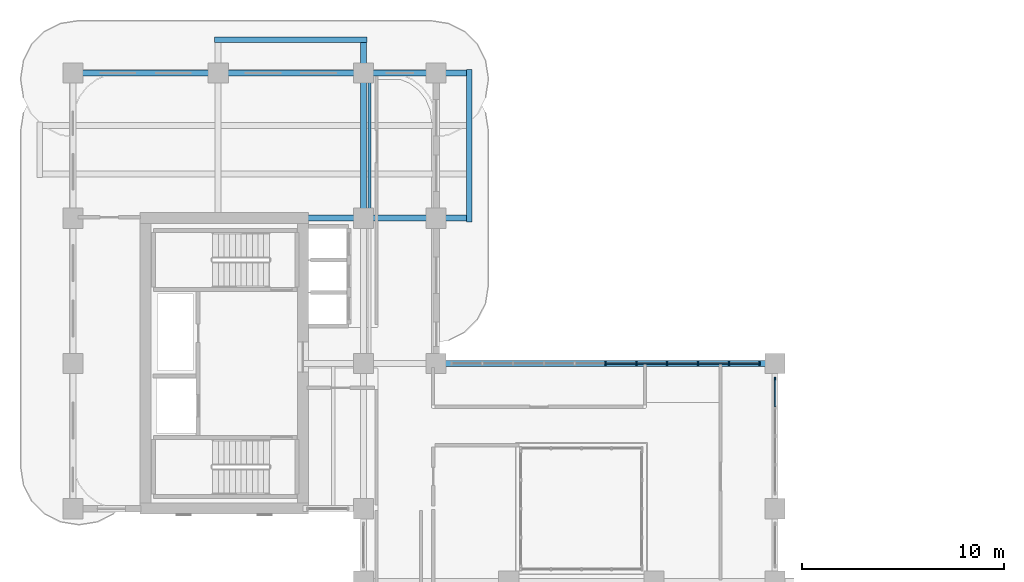
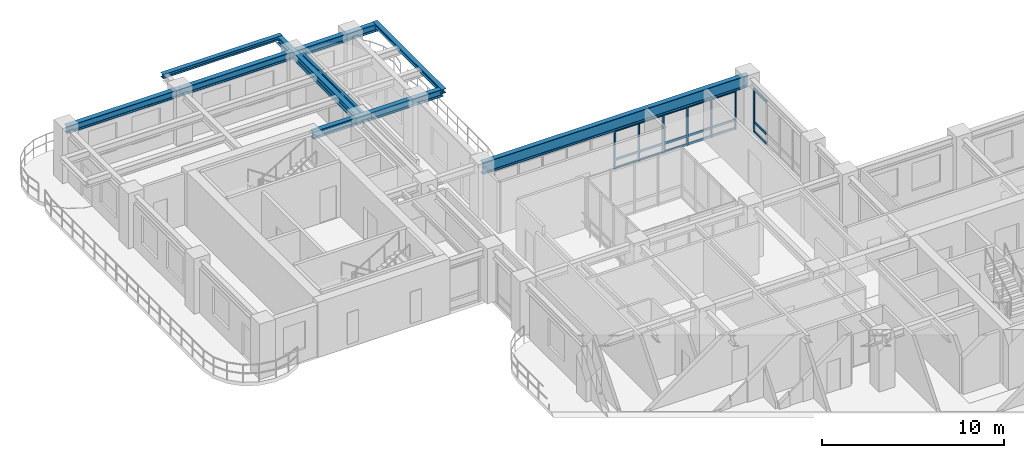
# One storey, part 6 of 20: 25 members, 8 beams, 2 elements without a shape of their own.
"""IFC4 building model written with IfcOpenShell, lengths in metres."""

from ifc_helpers import new_model, si_unit, derived_unit, direction, frame, origin, origin_2d, place, context, subcontext, project, spatial, rectangle, i_section, extrude, source, transform, mapped, material, layer, layer_set, material_profile, profile_set, type_object, type_shapes, element, aggregate, save


model = new_model("IFC4")

# Units and contexts
model_context = context("Model", 3, precision=1e-05, world=origin(), true_north=direction((0.0, 1.0)))
body_context = subcontext(model_context, "Body", "Model", "MODEL_VIEW")
ifc_project = project(units=[si_unit("LENGTHUNIT", "METRE"), si_unit("AREAUNIT", "SQUARE_METRE"), si_unit("VOLUMEUNIT", "CUBIC_METRE"), si_unit("PLANEANGLEUNIT", "RADIAN"), si_unit("MASSUNIT", "GRAM", prefix="KILO"), si_unit("THERMODYNAMICTEMPERATUREUNIT", "KELVIN"), si_unit("POWERUNIT", "WATT"), derived_unit("THERMALTRANSMITTANCEUNIT", [(si_unit("POWERUNIT", "WATT"), 1), (si_unit("AREAUNIT", "SQUARE_METRE"), -1), (si_unit("THERMODYNAMICTEMPERATUREUNIT", "KELVIN"), -1)])], contexts=[model_context])

# Site, building, storey
site_placement = place(None, origin())
site = spatial("IfcSite", under=ifc_project, at=site_placement, CompositionType="ELEMENT")
building_placement = place(site_placement, origin())
building = spatial("IfcBuilding", under=site, at=building_placement, Name="Zahravan Archway Hotel and Residences", CompositionType="ELEMENT")
storey_placement = place(building_placement, frame((0.0, 0.0, 130.300048828125)))
storey = spatial("IfcBuildingStorey", under=building, at=storey_placement, Name="L32", CompositionType="ELEMENT", Elevation=130.300048828125)

# Beams
ifc_material_1 = material(Name="Structural Steel S355JR", Category="steel")
ifc_material_profile_1 = material_profile(ifc_material_1, i_section(OverallWidth=0.280029296875, OverallDepth=0.280029296875, WebThickness=0.010498046875, FlangeThickness=0.01806640625, FilletRadius=0.02392578125, at=origin_2d()), Name="HEB 280", Category="steel")
ifc_profile_set_1 = profile_set([ifc_material_profile_1], Name="Structural Steel S355JR")
beam_type_1 = type_object("IfcBeamType", Name="BM-SPN-HEB280", PredefinedType="SPANDREL", material=ifc_profile_set_1)
shared_shape_1 = source(origin(), body_context, "Body", "SweptSolid", [
    extrude(i_section(OverallWidth=0.280029296875, OverallDepth=0.280029296875, WebThickness=0.010498046875, FlangeThickness=0.01806640625, FilletRadius=0.02392578125, at=origin_2d()), origin(), (0.0, 0.0, 1.0), 7.56005859375),
])
type_shapes(beam_type_1, [shared_shape_1])
for number, where, z_axis, x_axis, name in (
    (1, (19.64990234375, 39.419921875, 3.31005859375), (0.0, 1.0, 0.0), (-1.0, 0.0, 0.0), "L33 EB Balcony Edge Spandrel"),
    (2, (7.02001953125, 48.449951171875, 3.31005859375), (1.0, 0.0, 0.0), (0.0, 1.0, 0.0), "L33 NB Balcony Edge Spandrel"),
):
    element("IfcBeam", number, at=place(storey_placement, frame(where, z_axis=z_axis, x_axis=x_axis)), inside=storey, type_object=beam_type_1, Name=name, PredefinedType="SPANDREL", context=body_context, shape_type="MappedRepresentation", body=[
        mapped(shared_shape_1, transform((0.0, 0.0, 0.0), scale=1.0)),
    ])
ifc_material_2 = material(Name="Structural Steel S355J2", Category="steel")
ifc_material_profile_2 = material_profile(ifc_material_2, i_section(OverallWidth=0.300048828125, OverallDepth=0.800048828125, WebThickness=0.017578125, FlangeThickness=0.032958984375, FilletRadius=0.030029296875, at=origin_2d()), Name="HEB 800", Category="steel")
ifc_profile_set_2 = profile_set([ifc_material_profile_2], Name="Structural Steel S355J2")
beam_type_2 = type_object("IfcBeamType", Name="BM-PRI-HEB800", PredefinedType="BEAM", material=ifc_profile_set_2)
shared_shape_2 = source(origin(), body_context, "Body", "SweptSolid", [
    extrude(i_section(OverallWidth=0.300048828125, OverallDepth=0.800048828125, WebThickness=0.017578125, FlangeThickness=0.032958984375, FilletRadius=0.030029296875, at=origin_2d()), origin(), (0.0, 0.0, 1.0), 16.800048828125),
])
type_shapes(beam_type_2, [shared_shape_2])
beam_1_placement = place(storey_placement, frame((18.0, 32.39990234375, 3.050048828125), z_axis=(1.0, 0.0, 0.0), x_axis=(0.0, 1.0, 0.0)))
element("IfcBeam", 3, at=beam_1_placement, inside=storey, type_object=beam_type_2, Name="L32 Primary Girder EW-18", PredefinedType="BEAM", context=body_context, shape_type="MappedRepresentation", body=[
    mapped(shared_shape_2, transform((0.0, 0.0, 0.0), scale=1.0)),
])
ifc_material_profile_3 = material_profile(ifc_material_1, i_section(OverallWidth=0.300048828125, OverallDepth=0.5, WebThickness=0.014404296875, FlangeThickness=0.028076171875, FilletRadius=0.027099609375, at=origin_2d()), Name="HEB 500", Category="steel")
ifc_profile_set_3 = profile_set([ifc_material_profile_3], Name="Structural Steel S355JR")
beam_type_3 = type_object("IfcBeamType", Name="BM-PRI-HEB500", PredefinedType="BEAM", material=ifc_profile_set_3)
shared_shape_3 = source(origin(), body_context, "Body", "SweptSolid", [
    extrude(i_section(OverallWidth=0.300048828125, OverallDepth=0.5, WebThickness=0.014404296875, FlangeThickness=0.028076171875, FilletRadius=0.027099609375, at=origin_2d()), origin(), (0.0, 0.0, 1.0), 7.199951171875),
])
beam_2_placement = place(storey_placement, frame((0.0, 46.800048828125, 3.199951171875), z_axis=(1.0, 0.0, 0.0), x_axis=(0.0, 1.0, 0.0)))
element("IfcBeam", 4, at=beam_2_placement, inside=storey, type_object=beam_type_3, Name="L32 Primary Girder EW-20", PredefinedType="BEAM", context=body_context, shape_type="MappedRepresentation", body=[
    mapped(shared_shape_3, transform((0.0, 0.0, 0.0), scale=1.0)),
])
ifc_material_profile_4 = material_profile(ifc_material_1, i_section(OverallWidth=0.159912109375, OverallDepth=0.330078125, WebThickness=0.007568359375, FlangeThickness=0.011474609375, FilletRadius=0.01806640625, at=origin_2d()), Name="IPE 330", Category="steel")
ifc_profile_set_4 = profile_set([ifc_material_profile_4], Name="Structural Steel S355JR")
beam_type_4 = type_object("IfcBeamType", Name="BM-JST-IPE330", PredefinedType="JOIST", material=ifc_profile_set_4)
shared_shape_4 = source(origin(), body_context, "Body", "SweptSolid", [
    extrude(i_section(OverallWidth=0.159912109375, OverallDepth=0.330078125, WebThickness=0.007568359375, FlangeThickness=0.011474609375, FilletRadius=0.01806640625, at=origin_2d()), origin(), (0.0, 0.0, 1.0), 6.904052734375),
])
type_shapes(beam_type_4, [shared_shape_4])
beam_3_placement = place(storey_placement, frame((14.699951171875, 39.748046875, 3.284912109375), z_axis=(0.0, 1.0, 0.0), x_axis=(-1.0, 0.0, 0.0)))
element("IfcBeam", 5, at=beam_3_placement, inside=storey, type_object=beam_type_4, Name="L32 Composite Floor Joist 12", PredefinedType="JOIST", context=body_context, shape_type="MappedRepresentation", body=[
    mapped(shared_shape_4, transform((0.0, 0.0, 0.0), scale=1.0)),
])
shared_shape_5 = source(origin(), body_context, "Body", "SweptSolid", [
    extrude(i_section(OverallWidth=0.300048828125, OverallDepth=0.5, WebThickness=0.014404296875, FlangeThickness=0.028076171875, FilletRadius=0.027099609375, at=origin_2d()), origin(), (0.0, 0.0, 1.0), 8.25),
])
beam_4_placement = place(storey_placement, frame((11.39990234375, 39.60009765625, 3.199951171875), z_axis=(1.0, 0.0, 0.0), x_axis=(0.0, 1.0, 0.0)))
element("IfcBeam", 6, at=beam_4_placement, inside=storey, type_object=beam_type_3, Name="L32 Primary Girder EW-19", PredefinedType="BEAM", context=body_context, shape_type="MappedRepresentation", body=[
    mapped(shared_shape_5, transform((0.0, 0.0, 0.0), scale=1.0)),
])
shared_shape_6 = source(origin(), body_context, "Body", "SweptSolid", [
    extrude(i_section(OverallWidth=0.300048828125, OverallDepth=0.5, WebThickness=0.014404296875, FlangeThickness=0.028076171875, FilletRadius=0.027099609375, at=origin_2d()), origin(), (0.0, 0.0, 1.0), 12.449951171875),
])
beam_5_placement = place(storey_placement, frame((7.199951171875, 46.800048828125, 3.199951171875), z_axis=(1.0, 0.0, 0.0), x_axis=(0.0, 1.0, 0.0)))
element("IfcBeam", 7, at=beam_5_placement, inside=storey, type_object=beam_type_3, Name="L32 Primary Girder EW-21", PredefinedType="BEAM", context=body_context, shape_type="MappedRepresentation", body=[
    mapped(shared_shape_6, transform((0.0, 0.0, 0.0), scale=1.0)),
])
shared_shape_7 = source(origin(), body_context, "Body", "SweptSolid", [
    extrude(i_section(OverallWidth=0.300048828125, OverallDepth=0.5, WebThickness=0.014404296875, FlangeThickness=0.028076171875, FilletRadius=0.027099609375, at=origin_2d()), origin(), (0.0, 0.0, 1.0), 8.849853515625),
])
beam_6_placement = place(storey_placement, frame((14.39990234375, 39.60009765625, 3.199951171875), z_axis=(0.0, 1.0, 0.0), x_axis=(-1.0, 0.0, 0.0)))
element("IfcBeam", 8, at=beam_6_placement, inside=storey, type_object=beam_type_3, Name="L32 Primary Girder NS-34", PredefinedType="BEAM", context=body_context, shape_type="MappedRepresentation", body=[
    mapped(shared_shape_7, transform((0.0, 0.0, 0.0), scale=1.0)),
])

# Curtain wall, members
ifc_material_3 = material(Name="Bronze-Anodized Unitised Aluminium & Low-E Glass", Category="aluminium")
ifc_layer = layer(ifc_material_3, 0.179931640625, Name="Bronze-Anodized Unitised Aluminium & Low-E Glass", Category="aluminium")
ifc_layer_set = layer_set([ifc_layer], Name="Bronze-Anodized Unitised Aluminium & Low-E Glass")
curtain_wall_type = type_object("IfcCurtainWallType", Name="CW-ATR-GLAZ", PredefinedType="NOTDEFINED", material=ifc_layer_set)
curtain_wall_1_placement = place(storey_placement, origin())
curtain_wall_1 = element("IfcCurtainWall", 9, at=curtain_wall_1_placement, inside=storey, type_object=curtain_wall_type, Name="L32 Curtain Wall CW-L32-HNG-E-2", PredefinedType="NOTDEFINED")
ifc_material_4 = material(Name="Bronze-Anodized Extruded Aluminium", Category="aluminium")
ifc_material_profile_5 = material_profile(ifc_material_4, rectangle(XDim=0.080078125, YDim=0.139892578125, at=origin_2d()), Name="TRN 80x140", Category="aluminium")
ifc_profile_set_5 = profile_set([ifc_material_profile_5], Name="Bronze-Anodized Extruded Aluminium")
member_type_1 = type_object("IfcMemberType", Name="CWM-TRN-140", PredefinedType="USERDEFINED", material=ifc_profile_set_5)
shared_shape_8 = source(origin(), body_context, "Body", "SweptSolid", [
    extrude(rectangle(XDim=0.080078125, YDim=0.139892578125, at=origin_2d()), origin(), (0.0, 0.0, 1.0), 1.340087890625),
])
member_1_placement = place(storey_placement, frame((34.800048828125, 30.260009765625, 0.070068359375), z_axis=(0.0, 1.0, 0.0), x_axis=(-1.0, 0.0, 0.0)))
member_1 = element("IfcMember", 10, at=member_1_placement, type_object=member_type_1, Name="CW-L32-HNG-E-2 Transom 3-1", ObjectType="TRANSOM", PredefinedType="USERDEFINED", context=body_context, shape_type="MappedRepresentation", body=[
    mapped(shared_shape_8, transform((0.0, 0.0, 0.0), scale=1.0)),
])
member_2_placement = place(storey_placement, frame((34.800048828125, 30.260009765625, 0.704345703125), z_axis=(0.0, 1.0, 0.0), x_axis=(-1.0, 0.0, 0.0)))
member_2 = element("IfcMember", 11, at=member_2_placement, type_object=member_type_1, Name="CW-L32-HNG-E-2 Transom 3-2", ObjectType="TRANSOM", PredefinedType="USERDEFINED", context=body_context, shape_type="MappedRepresentation", body=[
    mapped(shared_shape_8, transform((0.0, 0.0, 0.0), scale=1.0)),
])
member_3_placement = place(storey_placement, frame((34.800048828125, 30.260009765625, 2.864990234375), z_axis=(0.0, 1.0, 0.0), x_axis=(-1.0, 0.0, 0.0)))
member_3 = element("IfcMember", 12, at=member_3_placement, type_object=member_type_1, Name="CW-L32-HNG-E-2 Transom 3-3", ObjectType="TRANSOM", PredefinedType="USERDEFINED", context=body_context, shape_type="MappedRepresentation", body=[
    mapped(shared_shape_8, transform((0.0, 0.0, 0.0), scale=1.0)),
])

curtain_wall_2_placement = place(storey_placement, origin())
curtain_wall_2 = element("IfcCurtainWall", 13, at=curtain_wall_2_placement, inside=storey, type_object=curtain_wall_type, Name="L32 Curtain Wall CW-L32-HNG-N-1", PredefinedType="NOTDEFINED")
ifc_material_profile_6 = material_profile(ifc_material_4, rectangle(XDim=0.080078125, YDim=0.159912109375, at=origin_2d()), Name="MUL 80x160", Category="aluminium")
ifc_profile_set_6 = profile_set([ifc_material_profile_6], Name="Bronze-Anodized Extruded Aluminium")
member_type_2 = type_object("IfcMemberType", Name="CWM-MUL-160", PredefinedType="MULLION", material=ifc_profile_set_6)
shared_shape_9 = source(origin(), body_context, "Body", "SweptSolid", [
    extrude(rectangle(XDim=0.080078125, YDim=0.159912109375, at=origin_2d()), origin(), (0.0, 0.0, 1.0), 2.635009765625),
])
member_4_placement = place(storey_placement, frame((26.39990234375, 32.39990234375, 0.0), z_axis=(0.0, 0.0, 1.0), x_axis=(1.0, 0.0, 0.0)))
member_4 = element("IfcMember", 14, at=member_4_placement, type_object=member_type_2, Name="CW-L32-HNG-N-1 Mullion 5", PredefinedType="MULLION", context=body_context, shape_type="MappedRepresentation", body=[
    mapped(shared_shape_9, transform((0.0, 0.0, 0.0), scale=1.0)),
])
member_5_placement = place(storey_placement, frame((27.927978515625, 32.39990234375, 0.0), z_axis=(0.0, 0.0, 1.0), x_axis=(1.0, 0.0, 0.0)))
member_5 = element("IfcMember", 15, at=member_5_placement, type_object=member_type_2, Name="CW-L32-HNG-N-1 Mullion 6", PredefinedType="MULLION", context=body_context, shape_type="MappedRepresentation", body=[
    mapped(shared_shape_9, transform((0.0, 0.0, 0.0), scale=1.0)),
])
member_6_placement = place(storey_placement, frame((29.4560546875, 32.39990234375, 0.0), z_axis=(0.0, 0.0, 1.0), x_axis=(1.0, 0.0, 0.0)))
member_6 = element("IfcMember", 16, at=member_6_placement, type_object=member_type_2, Name="CW-L32-HNG-N-1 Mullion 7", PredefinedType="MULLION", context=body_context, shape_type="MappedRepresentation", body=[
    mapped(shared_shape_9, transform((0.0, 0.0, 0.0), scale=1.0)),
])
member_7_placement = place(storey_placement, frame((30.98388671875, 32.39990234375, 0.0), z_axis=(0.0, 0.0, 1.0), x_axis=(1.0, 0.0, 0.0)))
member_7 = element("IfcMember", 17, at=member_7_placement, type_object=member_type_2, Name="CW-L32-HNG-N-1 Mullion 8", PredefinedType="MULLION", context=body_context, shape_type="MappedRepresentation", body=[
    mapped(shared_shape_9, transform((0.0, 0.0, 0.0), scale=1.0)),
])
member_8_placement = place(storey_placement, frame((32.511962890625, 32.39990234375, 0.0), z_axis=(0.0, 0.0, 1.0), x_axis=(1.0, 0.0, 0.0)))
member_8 = element("IfcMember", 18, at=member_8_placement, type_object=member_type_2, Name="CW-L32-HNG-N-1 Mullion 9", PredefinedType="MULLION", context=body_context, shape_type="MappedRepresentation", body=[
    mapped(shared_shape_9, transform((0.0, 0.0, 0.0), scale=1.0)),
])
member_9_placement = place(storey_placement, frame((34.0400390625, 32.39990234375, 0.0), z_axis=(0.0, 0.0, 1.0), x_axis=(1.0, 0.0, 0.0)))
member_9 = element("IfcMember", 19, at=member_9_placement, type_object=member_type_2, Name="CW-L32-HNG-N-1 Mullion 10", PredefinedType="MULLION", context=body_context, shape_type="MappedRepresentation", body=[
    mapped(shared_shape_9, transform((0.0, 0.0, 0.0), scale=1.0)),
])
shared_shape_10 = source(origin(), body_context, "Body", "SweptSolid", [
    extrude(rectangle(XDim=0.080078125, YDim=0.139892578125, at=origin_2d()), origin(), (0.0, 0.0, 1.0), 1.447998046875),
])
member_10_placement = place(storey_placement, frame((26.43994140625, 32.39990234375, 0.070068359375), z_axis=(1.0, 0.0, 0.0), x_axis=(0.0, 1.0, 0.0)))
member_10 = element("IfcMember", 20, at=member_10_placement, type_object=member_type_1, Name="CW-L32-HNG-N-1 Transom 5-1", ObjectType="TRANSOM", PredefinedType="USERDEFINED", context=body_context, shape_type="MappedRepresentation", body=[
    mapped(shared_shape_10, transform((0.0, 0.0, 0.0), scale=1.0)),
])
member_11_placement = place(storey_placement, frame((26.43994140625, 32.39990234375, 0.63232421875), z_axis=(1.0, 0.0, 0.0), x_axis=(0.0, 1.0, 0.0)))
member_11 = element("IfcMember", 21, at=member_11_placement, type_object=member_type_1, Name="CW-L32-HNG-N-1 Transom 5-2", ObjectType="TRANSOM", PredefinedType="USERDEFINED", context=body_context, shape_type="MappedRepresentation", body=[
    mapped(shared_shape_10, transform((0.0, 0.0, 0.0), scale=1.0)),
])
member_12_placement = place(storey_placement, frame((26.43994140625, 32.39990234375, 2.56494140625), z_axis=(1.0, 0.0, 0.0), x_axis=(0.0, 1.0, 0.0)))
member_12 = element("IfcMember", 22, at=member_12_placement, type_object=member_type_1, Name="CW-L32-HNG-N-1 Transom 5-3", ObjectType="TRANSOM", PredefinedType="USERDEFINED", context=body_context, shape_type="MappedRepresentation", body=[
    mapped(shared_shape_10, transform((0.0, 0.0, 0.0), scale=1.0)),
])
member_13_placement = place(storey_placement, frame((27.968017578125, 32.39990234375, 0.070068359375), z_axis=(1.0, 0.0, 0.0), x_axis=(0.0, 1.0, 0.0)))
member_13 = element("IfcMember", 23, at=member_13_placement, type_object=member_type_1, Name="CW-L32-HNG-N-1 Transom 6-1", ObjectType="TRANSOM", PredefinedType="USERDEFINED", context=body_context, shape_type="MappedRepresentation", body=[
    mapped(shared_shape_10, transform((0.0, 0.0, 0.0), scale=1.0)),
])
member_14_placement = place(storey_placement, frame((27.968017578125, 32.39990234375, 0.63232421875), z_axis=(1.0, 0.0, 0.0), x_axis=(0.0, 1.0, 0.0)))
member_14 = element("IfcMember", 24, at=member_14_placement, type_object=member_type_1, Name="CW-L32-HNG-N-1 Transom 6-2", ObjectType="TRANSOM", PredefinedType="USERDEFINED", context=body_context, shape_type="MappedRepresentation", body=[
    mapped(shared_shape_10, transform((0.0, 0.0, 0.0), scale=1.0)),
])
member_15_placement = place(storey_placement, frame((27.968017578125, 32.39990234375, 2.56494140625), z_axis=(1.0, 0.0, 0.0), x_axis=(0.0, 1.0, 0.0)))
member_15 = element("IfcMember", 25, at=member_15_placement, type_object=member_type_1, Name="CW-L32-HNG-N-1 Transom 6-3", ObjectType="TRANSOM", PredefinedType="USERDEFINED", context=body_context, shape_type="MappedRepresentation", body=[
    mapped(shared_shape_10, transform((0.0, 0.0, 0.0), scale=1.0)),
])
member_16_placement = place(storey_placement, frame((29.49609375, 32.39990234375, 0.070068359375), z_axis=(1.0, 0.0, 0.0), x_axis=(0.0, 1.0, 0.0)))
member_16 = element("IfcMember", 26, at=member_16_placement, type_object=member_type_1, Name="CW-L32-HNG-N-1 Transom 7-1", ObjectType="TRANSOM", PredefinedType="USERDEFINED", context=body_context, shape_type="MappedRepresentation", body=[
    mapped(shared_shape_10, transform((0.0, 0.0, 0.0), scale=1.0)),
])
member_17_placement = place(storey_placement, frame((29.49609375, 32.39990234375, 0.63232421875), z_axis=(1.0, 0.0, 0.0), x_axis=(0.0, 1.0, 0.0)))
member_17 = element("IfcMember", 27, at=member_17_placement, type_object=member_type_1, Name="CW-L32-HNG-N-1 Transom 7-2", ObjectType="TRANSOM", PredefinedType="USERDEFINED", context=body_context, shape_type="MappedRepresentation", body=[
    mapped(shared_shape_10, transform((0.0, 0.0, 0.0), scale=1.0)),
])
member_18_placement = place(storey_placement, frame((29.49609375, 32.39990234375, 2.56494140625), z_axis=(1.0, 0.0, 0.0), x_axis=(0.0, 1.0, 0.0)))
member_18 = element("IfcMember", 28, at=member_18_placement, type_object=member_type_1, Name="CW-L32-HNG-N-1 Transom 7-3", ObjectType="TRANSOM", PredefinedType="USERDEFINED", context=body_context, shape_type="MappedRepresentation", body=[
    mapped(shared_shape_10, transform((0.0, 0.0, 0.0), scale=1.0)),
])
member_19_placement = place(storey_placement, frame((31.02392578125, 32.39990234375, 0.070068359375), z_axis=(1.0, 0.0, 0.0), x_axis=(0.0, 1.0, 0.0)))
member_19 = element("IfcMember", 29, at=member_19_placement, type_object=member_type_1, Name="CW-L32-HNG-N-1 Transom 8-1", ObjectType="TRANSOM", PredefinedType="USERDEFINED", context=body_context, shape_type="MappedRepresentation", body=[
    mapped(shared_shape_10, transform((0.0, 0.0, 0.0), scale=1.0)),
])
member_20_placement = place(storey_placement, frame((31.02392578125, 32.39990234375, 0.63232421875), z_axis=(1.0, 0.0, 0.0), x_axis=(0.0, 1.0, 0.0)))
member_20 = element("IfcMember", 30, at=member_20_placement, type_object=member_type_1, Name="CW-L32-HNG-N-1 Transom 8-2", ObjectType="TRANSOM", PredefinedType="USERDEFINED", context=body_context, shape_type="MappedRepresentation", body=[
    mapped(shared_shape_10, transform((0.0, 0.0, 0.0), scale=1.0)),
])
member_21_placement = place(storey_placement, frame((31.02392578125, 32.39990234375, 2.56494140625), z_axis=(1.0, 0.0, 0.0), x_axis=(0.0, 1.0, 0.0)))
member_21 = element("IfcMember", 31, at=member_21_placement, type_object=member_type_1, Name="CW-L32-HNG-N-1 Transom 8-3", ObjectType="TRANSOM", PredefinedType="USERDEFINED", context=body_context, shape_type="MappedRepresentation", body=[
    mapped(shared_shape_10, transform((0.0, 0.0, 0.0), scale=1.0)),
])
member_22_placement = place(storey_placement, frame((32.552001953125, 32.39990234375, 0.070068359375), z_axis=(1.0, 0.0, 0.0), x_axis=(0.0, 1.0, 0.0)))
member_22 = element("IfcMember", 32, at=member_22_placement, type_object=member_type_1, Name="CW-L32-HNG-N-1 Transom 9-1", ObjectType="TRANSOM", PredefinedType="USERDEFINED", context=body_context, shape_type="MappedRepresentation", body=[
    mapped(shared_shape_10, transform((0.0, 0.0, 0.0), scale=1.0)),
])
member_23_placement = place(storey_placement, frame((32.552001953125, 32.39990234375, 0.63232421875), z_axis=(1.0, 0.0, 0.0), x_axis=(0.0, 1.0, 0.0)))
member_23 = element("IfcMember", 33, at=member_23_placement, type_object=member_type_1, Name="CW-L32-HNG-N-1 Transom 9-2", ObjectType="TRANSOM", PredefinedType="USERDEFINED", context=body_context, shape_type="MappedRepresentation", body=[
    mapped(shared_shape_10, transform((0.0, 0.0, 0.0), scale=1.0)),
])
member_24_placement = place(storey_placement, frame((32.552001953125, 32.39990234375, 2.56494140625), z_axis=(1.0, 0.0, 0.0), x_axis=(0.0, 1.0, 0.0)))
member_24 = element("IfcMember", 34, at=member_24_placement, type_object=member_type_1, Name="CW-L32-HNG-N-1 Transom 9-3", ObjectType="TRANSOM", PredefinedType="USERDEFINED", context=body_context, shape_type="MappedRepresentation", body=[
    mapped(shared_shape_10, transform((0.0, 0.0, 0.0), scale=1.0)),
])
aggregate(curtain_wall_2, [member_4, member_5, member_6, member_7, member_8, member_9, member_10, member_11, member_12, member_13, member_14, member_15, member_16, member_17, member_18, member_19, member_20, member_21, member_22, member_23, member_24])

# Member
shared_shape_11 = source(origin(), body_context, "Body", "SweptSolid", [
    extrude(rectangle(XDim=0.080078125, YDim=0.159912109375, at=origin_2d()), origin(), (0.0, 0.0, 1.0), 2.93505859375),
])
member_25_placement = place(storey_placement, frame((34.800048828125, 31.639892578125, 0.0), z_axis=(0.0, 0.0, 1.0), x_axis=(1.0, 0.0, 0.0)))
member_25 = element("IfcMember", 35, at=member_25_placement, type_object=member_type_2, Name="CW-L32-HNG-E-2 Mullion 4", PredefinedType="MULLION", context=body_context, shape_type="MappedRepresentation", body=[
    mapped(shared_shape_11, transform((0.0, 0.0, 0.0), scale=1.0)),
])

aggregate(curtain_wall_1, [member_25, member_1, member_2, member_3])

save(model, "model.ifc")
